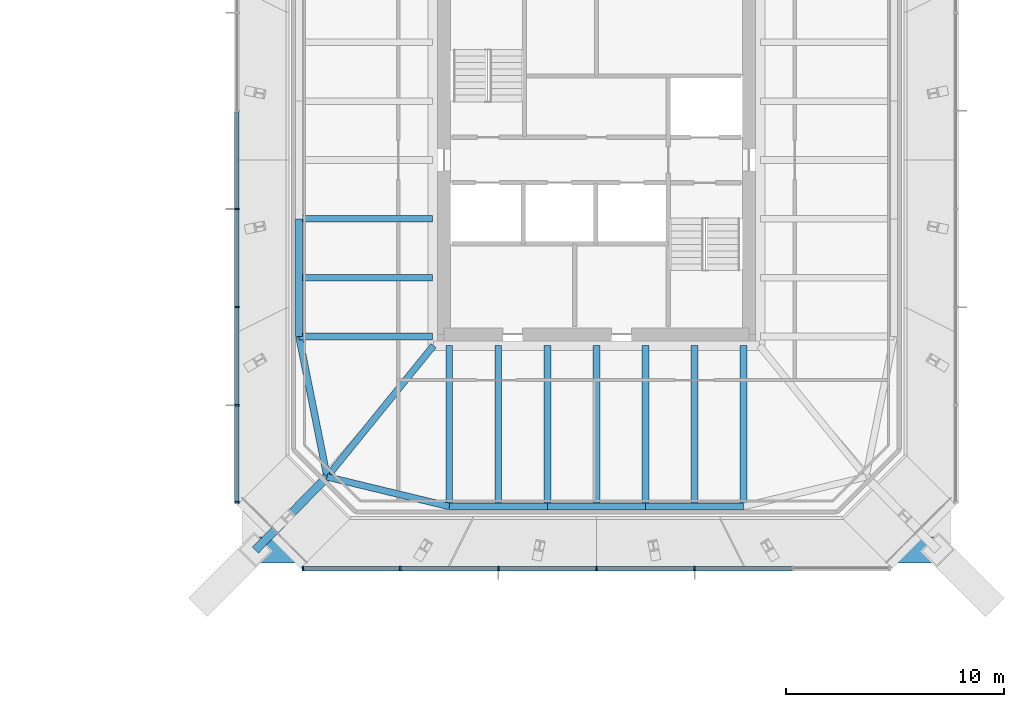
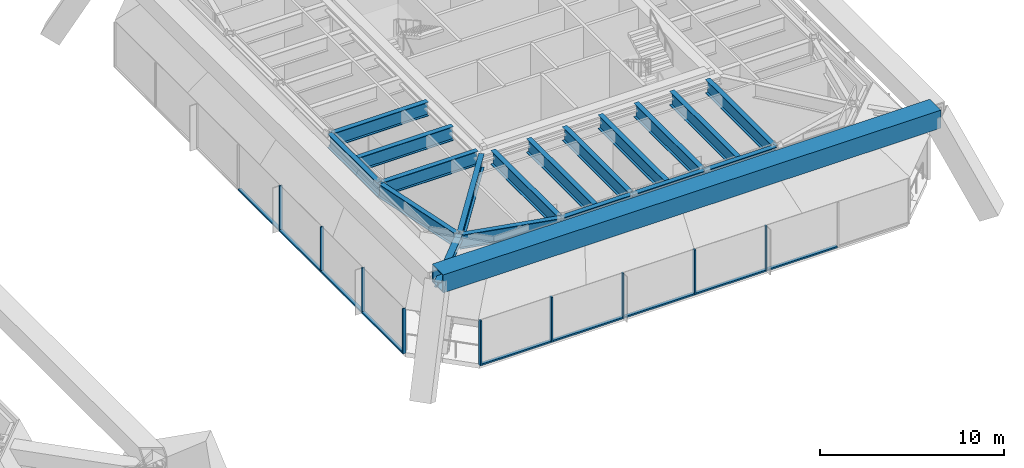
# One storey, part 4 of 16: 20 members, 17 beams, 2 elements without a shape of their own.
"""IFC4 building model written with IfcOpenShell, lengths in metres."""

from ifc_helpers import new_model, si_unit, direction, frame, origin, origin_2d, place, context, subcontext, project, spatial, rectangle, hollow_rectangle, i_section, extrude, material, material_profile, profile_set, type_object, element, aggregate, save


model = new_model("IFC4")

# Units and contexts
model_context = context("Model", 3, precision=1e-05, world=origin(), true_north=direction((0.0, 1.0)))
body_context = subcontext(model_context, "Body", "Model", "MODEL_VIEW")
ifc_project = project(units=[si_unit("LENGTHUNIT", "METRE"), si_unit("AREAUNIT", "SQUARE_METRE"), si_unit("VOLUMEUNIT", "CUBIC_METRE"), si_unit("PLANEANGLEUNIT", "RADIAN"), si_unit("MASSUNIT", "GRAM", prefix="KILO")], contexts=[model_context])

# Site, building, storey
site_placement = place(None, origin())
site = spatial("IfcSite", under=ifc_project, at=site_placement, CompositionType="ELEMENT")
building_placement = place(site_placement, origin())
building = spatial("IfcBuilding", under=site, at=building_placement, Name="Iwan Alto Co-Living Towers", CompositionType="ELEMENT")
storey_placement = place(building_placement, frame((0.0, 0.0, 74.5)))
storey = spatial("IfcBuildingStorey", under=building, at=storey_placement, Name="L20", CompositionType="ELEMENT", Elevation=74.5)

# Curtain wall, members
ifc_material_1 = material(Name="Bronze aluminium unitised frame", Category="aluminium")
curtain_wall_type = type_object("IfcCurtainWallType", Name="CURTAIN WALL CW-C", PredefinedType="NOTDEFINED", material=ifc_material_1)
curtain_wall_1_placement = place(storey_placement, origin())
curtain_wall_1 = element("IfcCurtainWall", 1, at=curtain_wall_1_placement, inside=storey, type_object=curtain_wall_type, Name="T2 curtain wall S L20", PredefinedType="NOTDEFINED")
ifc_material_2 = material(Name="Aluminium 6063-T6 bronze anodised", Category="aluminium")
ifc_material_profile_1 = material_profile(ifc_material_2, rectangle(XDim=0.199951171875, YDim=0.080078125, at=origin_2d()), Name="AL 80X200")
ifc_profile_set_1 = profile_set([ifc_material_profile_1], Name="Aluminium 6063-T6 bronze anodised")
member_type_1 = type_object("IfcMemberType", Name="CW-C MULLION 80X200", PredefinedType="MULLION", material=ifc_profile_set_1)
member_1_placement = place(storey_placement, frame((49.5400390625, -18.75, 0.0), z_axis=(0.0, 0.0, 1.0), x_axis=(0.0, 1.0, 0.0)))
member_1 = element("IfcMember", 2, at=member_1_placement, type_object=member_type_1, Name="CW-C mullion 1", PredefinedType="MULLION", context=body_context, shape_type="SweptSolid", body=[
    extrude(rectangle(XDim=0.199951171875, YDim=0.080078125, at=origin_2d()), origin(), (0.0, 0.0, 1.0), 3.0),
])
member_2_placement = place(storey_placement, frame((54.0, -18.75, 0.0), z_axis=(0.0, 0.0, 1.0), x_axis=(0.0, 1.0, 0.0)))
member_2 = element("IfcMember", 3, at=member_2_placement, type_object=member_type_1, Name="CW-C mullion 2", PredefinedType="MULLION", context=body_context, shape_type="SweptSolid", body=[
    extrude(rectangle(XDim=0.199951171875, YDim=0.080078125, at=origin_2d()), origin(), (0.0, 0.0, 1.0), 3.0),
])
member_3_placement = place(storey_placement, frame((58.5, -18.75, 0.0), z_axis=(0.0, 0.0, 1.0), x_axis=(0.0, 1.0, 0.0)))
member_3 = element("IfcMember", 4, at=member_3_placement, type_object=member_type_1, Name="CW-C mullion 3", PredefinedType="MULLION", context=body_context, shape_type="SweptSolid", body=[
    extrude(rectangle(XDim=0.199951171875, YDim=0.080078125, at=origin_2d()), origin(), (0.0, 0.0, 1.0), 3.0),
])
member_4_placement = place(storey_placement, frame((63.0, -18.75, 0.0), z_axis=(0.0, 0.0, 1.0), x_axis=(0.0, 1.0, 0.0)))
member_4 = element("IfcMember", 5, at=member_4_placement, type_object=member_type_1, Name="CW-C mullion 4", PredefinedType="MULLION", context=body_context, shape_type="SweptSolid", body=[
    extrude(rectangle(XDim=0.199951171875, YDim=0.080078125, at=origin_2d()), origin(), (0.0, 0.0, 1.0), 3.0),
])
member_5_placement = place(storey_placement, frame((67.5, -18.75, 0.0), z_axis=(0.0, 0.0, 1.0), x_axis=(0.0, 1.0, 0.0)))
member_5 = element("IfcMember", 6, at=member_5_placement, type_object=member_type_1, Name="CW-C mullion 5", PredefinedType="MULLION", context=body_context, shape_type="SweptSolid", body=[
    extrude(rectangle(XDim=0.199951171875, YDim=0.080078125, at=origin_2d()), origin(), (0.0, 0.0, 1.0), 3.0),
])

curtain_wall_2_placement = place(storey_placement, origin())
curtain_wall_2 = element("IfcCurtainWall", 7, at=curtain_wall_2_placement, inside=storey, type_object=curtain_wall_type, Name="T2 curtain wall W L20", PredefinedType="NOTDEFINED")
member_6_placement = place(storey_placement, frame((46.5, -2.25, 0.0), z_axis=(0.0, 0.0, 1.0), x_axis=(1.0, 0.0, 0.0)))
member_6 = element("IfcMember", 8, at=member_6_placement, type_object=member_type_1, Name="CW-C mullion 5", PredefinedType="MULLION", context=body_context, shape_type="SweptSolid", body=[
    extrude(rectangle(XDim=0.199951171875, YDim=0.080078125, at=origin_2d()), origin(), (0.0, 0.0, 1.0), 3.0),
])
member_7_placement = place(storey_placement, frame((46.5, -6.75, 0.0), z_axis=(0.0, 0.0, 1.0), x_axis=(1.0, 0.0, 0.0)))
member_7 = element("IfcMember", 9, at=member_7_placement, type_object=member_type_1, Name="CW-C mullion 6", PredefinedType="MULLION", context=body_context, shape_type="SweptSolid", body=[
    extrude(rectangle(XDim=0.199951171875, YDim=0.080078125, at=origin_2d()), origin(), (0.0, 0.0, 1.0), 3.0),
])
member_8_placement = place(storey_placement, frame((46.5, -11.25, 0.0), z_axis=(0.0, 0.0, 1.0), x_axis=(1.0, 0.0, 0.0)))
member_8 = element("IfcMember", 10, at=member_8_placement, type_object=member_type_1, Name="CW-C mullion 7", PredefinedType="MULLION", context=body_context, shape_type="SweptSolid", body=[
    extrude(rectangle(XDim=0.199951171875, YDim=0.080078125, at=origin_2d()), origin(), (0.0, 0.0, 1.0), 3.0),
])
member_9_placement = place(storey_placement, frame((46.5, -15.7099609375, 0.0), z_axis=(0.0, 0.0, 1.0), x_axis=(1.0, 0.0, 0.0)))
member_9 = element("IfcMember", 11, at=member_9_placement, type_object=member_type_1, Name="CW-C mullion 8", PredefinedType="MULLION", context=body_context, shape_type="SweptSolid", body=[
    extrude(rectangle(XDim=0.199951171875, YDim=0.080078125, at=origin_2d()), origin(), (0.0, 0.0, 1.0), 3.0),
])

# Member
ifc_material_3 = material(Name="Aluminium 6063-T6 bronze anodised", Category="aluminium")
ifc_material_profile_2 = material_profile(ifc_material_3, rectangle(XDim=0.199951171875, YDim=0.10009765625, at=origin_2d()), Name="AL 200X100")
ifc_profile_set_2 = profile_set([ifc_material_profile_2], Name="Aluminium 6063-T6 bronze anodised")
member_type_2 = type_object("IfcMemberType", Name="CW-C TRANSOM 200X100", PredefinedType="USERDEFINED", material=ifc_profile_set_2)
member_10_placement = place(storey_placement, frame((49.580078125, -18.75, 0.050048828125), z_axis=(1.0, 0.0, 0.0), x_axis=(0.0, 1.0, 0.0)))
member_10 = element("IfcMember", 12, at=member_10_placement, type_object=member_type_2, Name="CW-C transom 1.1", ObjectType="TRANSOM", PredefinedType="USERDEFINED", context=body_context, shape_type="SweptSolid", body=[
    extrude(rectangle(XDim=0.199951171875, YDim=0.10009765625, at=origin_2d()), origin(), (0.0, 0.0, 1.0), 4.3798828125),
])

member_11_placement = place(storey_placement, frame((54.0400390625, -18.75, 0.050048828125), z_axis=(1.0, 0.0, 0.0), x_axis=(0.0, 1.0, 0.0)))
member_11 = element("IfcMember", 13, at=member_11_placement, type_object=member_type_2, Name="CW-C transom 2.1", ObjectType="TRANSOM", PredefinedType="USERDEFINED", context=body_context, shape_type="SweptSolid", body=[
    extrude(rectangle(XDim=0.199951171875, YDim=0.10009765625, at=origin_2d()), origin(), (0.0, 0.0, 1.0), 4.419921875),
])

member_12_placement = place(storey_placement, frame((58.5400390625, -18.75, 0.050048828125), z_axis=(1.0, 0.0, 0.0), x_axis=(0.0, 1.0, 0.0)))
member_12 = element("IfcMember", 14, at=member_12_placement, type_object=member_type_2, Name="CW-C transom 3.1", ObjectType="TRANSOM", PredefinedType="USERDEFINED", context=body_context, shape_type="SweptSolid", body=[
    extrude(rectangle(XDim=0.199951171875, YDim=0.10009765625, at=origin_2d()), origin(), (0.0, 0.0, 1.0), 4.419921875),
])

member_13_placement = place(storey_placement, frame((63.0400390625, -18.75, 0.050048828125), z_axis=(1.0, 0.0, 0.0), x_axis=(0.0, 1.0, 0.0)))
member_13 = element("IfcMember", 15, at=member_13_placement, type_object=member_type_2, Name="CW-C transom 4.1", ObjectType="TRANSOM", PredefinedType="USERDEFINED", context=body_context, shape_type="SweptSolid", body=[
    extrude(rectangle(XDim=0.199951171875, YDim=0.10009765625, at=origin_2d()), origin(), (0.0, 0.0, 1.0), 4.419921875),
])

member_14_placement = place(storey_placement, frame((67.5400390625, -18.75, 0.050048828125), z_axis=(1.0, 0.0, 0.0), x_axis=(0.0, 1.0, 0.0)))
member_14 = element("IfcMember", 16, at=member_14_placement, type_object=member_type_2, Name="CW-C transom 5.1", ObjectType="TRANSOM", PredefinedType="USERDEFINED", context=body_context, shape_type="SweptSolid", body=[
    extrude(rectangle(XDim=0.199951171875, YDim=0.10009765625, at=origin_2d()), origin(), (0.0, 0.0, 1.0), 4.419921875),
])

aggregate(curtain_wall_1, [member_1, member_2, member_3, member_4, member_5, member_10, member_11, member_12, member_13, member_14])

member_15_placement = place(storey_placement, frame((46.5, 2.2099609375, 0.050048828125), z_axis=(0.0, -1.0, 0.0), x_axis=(1.0, 0.0, 0.0)))
member_15 = element("IfcMember", 17, at=member_15_placement, type_object=member_type_2, Name="CW-C transom 4.1", ObjectType="TRANSOM", PredefinedType="USERDEFINED", context=body_context, shape_type="SweptSolid", body=[
    extrude(rectangle(XDim=0.199951171875, YDim=0.10009765625, at=origin_2d()), origin(), (0.0, 0.0, 1.0), 4.419921875),
])

member_16_placement = place(storey_placement, frame((46.5, -2.2900390625, 0.050048828125), z_axis=(0.0, -1.0, 0.0), x_axis=(1.0, 0.0, 0.0)))
member_16 = element("IfcMember", 18, at=member_16_placement, type_object=member_type_2, Name="CW-C transom 5.1", ObjectType="TRANSOM", PredefinedType="USERDEFINED", context=body_context, shape_type="SweptSolid", body=[
    extrude(rectangle(XDim=0.199951171875, YDim=0.10009765625, at=origin_2d()), origin(), (0.0, 0.0, 1.0), 4.419921875),
])

member_17_placement = place(storey_placement, frame((46.5, -6.7900390625, 0.050048828125), z_axis=(0.0, -1.0, 0.0), x_axis=(1.0, 0.0, 0.0)))
member_17 = element("IfcMember", 19, at=member_17_placement, type_object=member_type_2, Name="CW-C transom 6.1", ObjectType="TRANSOM", PredefinedType="USERDEFINED", context=body_context, shape_type="SweptSolid", body=[
    extrude(rectangle(XDim=0.199951171875, YDim=0.10009765625, at=origin_2d()), origin(), (0.0, 0.0, 1.0), 4.419921875),
])

member_18_placement = place(storey_placement, frame((46.5, -11.2900390625, 0.050048828125), z_axis=(0.0, -1.0, 0.0), x_axis=(1.0, 0.0, 0.0)))
member_18 = element("IfcMember", 20, at=member_18_placement, type_object=member_type_2, Name="CW-C transom 7.1", ObjectType="TRANSOM", PredefinedType="USERDEFINED", context=body_context, shape_type="SweptSolid", body=[
    extrude(rectangle(XDim=0.199951171875, YDim=0.10009765625, at=origin_2d()), origin(), (0.0, 0.0, 1.0), 4.3798828125),
])

aggregate(curtain_wall_2, [member_6, member_7, member_8, member_9, member_15, member_16, member_17, member_18])

# Beams
ifc_material_4 = material(Name="Steel ASTM A992 Gr 50", Category="steel")
ifc_material_profile_3 = material_profile(ifc_material_4, i_section(OverallWidth=0.307373046875, OverallDepth=0.927001953125, WebThickness=0.01953125, FlangeThickness=0.031982421875, at=origin_2d()), Name="W36X194")
ifc_profile_set_3 = profile_set([ifc_material_profile_3], Name="Steel ASTM A992 Gr 50")
beam_type_1 = type_object("IfcBeamType", Name="T2 CORNER GIRDER W36X194", PredefinedType="BEAM", material=ifc_profile_set_3)
beam_1_placement = place(storey_placement, frame((50.638671875, -14.542724609375, 5.306396484375), z_axis=(0.629787584927, 0.776767402683, 0.0), x_axis=(-0.776767402683, 0.629787584927, 0.0)))
element("IfcBeam", 21, at=beam_1_placement, inside=storey, type_object=beam_type_1, Name="T2 corner girder CSW L21", PredefinedType="BEAM", context=body_context, shape_type="SweptSolid", body=[
    extrude(i_section(OverallWidth=0.307373046875, OverallDepth=0.927001953125, WebThickness=0.01953125, FlangeThickness=0.031982421875, at=origin_2d()), origin(), (0.0, 0.0, 1.0), 7.75537109375),
])
ifc_material_5 = material(Name="Steel ASTM A992 Gr 50", Category="steel")
ifc_material_profile_4 = material_profile(ifc_material_5, i_section(OverallWidth=0.307373046875, OverallDepth=0.927001953125, WebThickness=0.01953125, FlangeThickness=0.031982421875, at=origin_2d()), Name="W36X194")
ifc_profile_set_4 = profile_set([ifc_material_profile_4], Name="Steel ASTM A992 Gr 50")
beam_type_2 = type_object("IfcBeamType", Name="T2 EDGE BEAM W36X194", PredefinedType="BEAM", material=ifc_profile_set_4)
beam_2_placement = place(storey_placement, frame((50.638671875, -14.542724609375, 5.306396484375), z_axis=(0.971974673138, -0.235085590323, 0.0), x_axis=(0.235085590323, 0.971974673138, 0.0)))
element("IfcBeam", 22, at=beam_2_placement, inside=storey, type_object=beam_type_2, Name="T2 edge beam CSW L21", PredefinedType="BEAM", context=body_context, shape_type="SweptSolid", body=[
    extrude(i_section(OverallWidth=0.307373046875, OverallDepth=0.927001953125, WebThickness=0.01953125, FlangeThickness=0.031982421875, at=origin_2d()), origin(), (0.0, 0.0, 1.0), 5.773193359375),
])
for number, where, z_axis, x_axis, name in (
    (23, (56.25, -15.89990234375, 5.306396484375), (1.0, 0.0, 0.0), (0.0, 1.0, 0.0), "T2 edge beam S1 L21"),
    (24, (60.75, -15.89990234375, 5.306396484375), (1.0, 0.0, 0.0), (0.0, 1.0, 0.0), "T2 edge beam S2 L21"),
    (25, (65.25, -15.89990234375, 5.306396484375), (1.0, 0.0, 0.0), (0.0, 1.0, 0.0), "T2 edge beam S3 L21"),
):
    element("IfcBeam", number, at=place(storey_placement, frame(where, z_axis=z_axis, x_axis=x_axis)), inside=storey, type_object=beam_type_2, Name=name, PredefinedType="BEAM", context=body_context, shape_type="SweptSolid", body=[
        extrude(i_section(OverallWidth=0.307373046875, OverallDepth=0.927001953125, WebThickness=0.01953125, FlangeThickness=0.031982421875, at=origin_2d()), origin(), (0.0, 0.0, 1.0), 4.5),
    ])
beam_3_placement = place(storey_placement, frame((49.35009765625, -2.699951171875, 5.306396484375), z_axis=(0.0, -1.0, 0.0), x_axis=(1.0, 0.0, 0.0)))
element("IfcBeam", 26, at=beam_3_placement, inside=storey, type_object=beam_type_2, Name="T2 edge beam W3 L21", PredefinedType="BEAM", context=body_context, shape_type="SweptSolid", body=[
    extrude(i_section(OverallWidth=0.307373046875, OverallDepth=0.927001953125, WebThickness=0.01953125, FlangeThickness=0.031982421875, at=origin_2d()), origin(), (0.0, 0.0, 1.0), 5.400146484375),
])
beam_4_placement = place(storey_placement, frame((49.35009765625, -8.10009765625, 5.306396484375), z_axis=(0.196123281025, -0.980579246487, 0.0), x_axis=(0.980579246487, 0.196123281025, 0.0)))
element("IfcBeam", 27, at=beam_4_placement, inside=storey, type_object=beam_type_2, Name="T2 edge beam W4 L21", PredefinedType="BEAM", context=body_context, shape_type="SweptSolid", body=[
    extrude(i_section(OverallWidth=0.307373046875, OverallDepth=0.927001953125, WebThickness=0.01953125, FlangeThickness=0.031982421875, at=origin_2d()), origin(), (0.0, 0.0, 1.0), 6.5703125),
])

# Members
ifc_material_6 = material(Name="Steel ASTM A572 Gr 50", Category="steel")
ifc_material_profile_5 = material_profile(ifc_material_6, hollow_rectangle(XDim=1.199951171875, YDim=1.199951171875, WallThickness=0.070068359375, at=origin_2d()), Name="BOX 1200X1200X70")
ifc_profile_set_5 = profile_set([ifc_material_profile_5], Name="Steel ASTM A572 Gr 50")
member_type_3 = type_object("IfcMemberType", Name="T2 MEGA BELT TIE BOX 1200X1200X70", PredefinedType="STRUT", material=ifc_profile_set_5)
member_19_placement = place(storey_placement, frame((47.35009765625, -17.89990234375, 6.0), z_axis=(1.0, 0.0, 0.0), x_axis=(0.0, 1.0, 0.0)))
element("IfcMember", 28, at=member_19_placement, inside=storey, type_object=member_type_3, Name="T2 mega belt tie S L21", PredefinedType="STRUT", context=body_context, shape_type="SweptSolid", body=[
    extrude(hollow_rectangle(XDim=1.199951171875, YDim=1.199951171875, WallThickness=0.070068359375, at=origin_2d()), origin(), (0.0, 0.0, 1.0), 31.2998046875),
])
ifc_material_7 = material(Name="Steel ASTM A992 Gr 50", Category="steel")
ifc_material_profile_6 = material_profile(ifc_material_7, i_section(OverallWidth=0.393798828125, OverallDepth=0.3759765625, WebThickness=0.017333984375, FlangeThickness=0.027587890625, at=origin_2d()), Name="W14X145")
ifc_profile_set_6 = profile_set([ifc_material_profile_6], Name="Steel ASTM A992 Gr 50")
member_type_4 = type_object("IfcMemberType", Name="T2 MEGA COLUMN FLOOR TIE W14X145", PredefinedType="STRUT", material=ifc_profile_set_6)
member_20_placement = place(storey_placement, frame((47.35009765625, -17.89990234375, 5.58203125), z_axis=(0.699770096147, 0.714368121166, 0.0), x_axis=(-0.714368121166, 0.699770096147, 0.0)))
element("IfcMember", 29, at=member_20_placement, inside=storey, type_object=member_type_4, Name="T2 mega column floor tie SW L21", PredefinedType="STRUT", context=body_context, shape_type="SweptSolid", body=[
    extrude(i_section(OverallWidth=0.393798828125, OverallDepth=0.3759765625, WebThickness=0.017333984375, FlangeThickness=0.027587890625, at=origin_2d()), origin(), (0.0, 0.0, 1.0), 4.699462890625),
])

# Beams
ifc_material_8 = material(Name="Steel ASTM A992 Gr 50", Category="steel")
ifc_material_profile_7 = material_profile(ifc_material_8, i_section(OverallWidth=0.307373046875, OverallDepth=0.927001953125, WebThickness=0.01953125, FlangeThickness=0.031982421875, at=origin_2d()), Name="W36X194")
ifc_profile_set_7 = profile_set([ifc_material_profile_7], Name="Steel ASTM A992 Gr 50")
beam_type_3 = type_object("IfcBeamType", Name="T2 RADIAL BEAM W36X194", PredefinedType="BEAM", material=ifc_profile_set_7)
for number, where, z_axis, x_axis, name in (
    (30, (56.25, -15.89990234375, 5.306396484375), (0.0, 1.0, 0.0), (-1.0, 0.0, 0.0), "T2 radial beam S1 L21"),
    (31, (60.75, -15.89990234375, 5.306396484375), (0.0, 1.0, 0.0), (-1.0, 0.0, 0.0), "T2 radial beam S2 L21"),
    (32, (65.25, -15.89990234375, 5.306396484375), (0.0, 1.0, 0.0), (-1.0, 0.0, 0.0), "T2 radial beam S3 L21"),
    (33, (69.75, -15.89990234375, 5.306396484375), (0.0, 1.0, 0.0), (-1.0, 0.0, 0.0), "T2 radial beam S4 L21"),
):
    element("IfcBeam", number, at=place(storey_placement, frame(where, z_axis=z_axis, x_axis=x_axis)), inside=storey, type_object=beam_type_3, Name=name, PredefinedType="BEAM", context=body_context, shape_type="SweptSolid", body=[
        extrude(i_section(OverallWidth=0.307373046875, OverallDepth=0.927001953125, WebThickness=0.01953125, FlangeThickness=0.031982421875, at=origin_2d()), origin(), (0.0, 0.0, 1.0), 7.38134765625),
    ])
for number, where, z_axis, x_axis, name in (
    (34, (49.35009765625, -2.699951171875, 5.306396484375), (1.0, 0.0, 0.0), (0.0, 1.0, 0.0), "T2 radial beam W3 L21"),
    (35, (49.35009765625, -8.10009765625, 5.306396484375), (1.0, 0.0, 0.0), (0.0, 1.0, 0.0), "T2 radial beam W4 L21"),
):
    element("IfcBeam", number, at=place(storey_placement, frame(where, z_axis=z_axis, x_axis=x_axis)), inside=storey, type_object=beam_type_3, Name=name, PredefinedType="BEAM", context=body_context, shape_type="SweptSolid", body=[
        extrude(i_section(OverallWidth=0.307373046875, OverallDepth=0.927001953125, WebThickness=0.01953125, FlangeThickness=0.031982421875, at=origin_2d()), origin(), (0.0, 0.0, 1.0), 6.13134765625),
    ])
ifc_material_9 = material(Name="Steel ASTM A992 Gr 50", Category="steel")
ifc_material_profile_8 = material_profile(ifc_material_9, i_section(OverallWidth=0.307373046875, OverallDepth=0.927001953125, WebThickness=0.01953125, FlangeThickness=0.031982421875, at=origin_2d()), Name="W36X194")
ifc_profile_set_8 = profile_set([ifc_material_profile_8], Name="Steel ASTM A992 Gr 50")
beam_type_4 = type_object("IfcBeamType", Name="T2 SECONDARY BEAM W36X194", PredefinedType="JOIST", material=ifc_profile_set_8)
for number, where, z_axis, x_axis, name in (
    (36, (58.5, -15.89990234375, 5.306396484375), (0.0, 1.0, 0.0), (-1.0, 0.0, 0.0), "T2 secondary beam S1 L21"),
    (37, (63.0, -15.89990234375, 5.306396484375), (0.0, 1.0, 0.0), (-1.0, 0.0, 0.0), "T2 secondary beam S2 L21"),
    (38, (67.5, -15.89990234375, 5.306396484375), (0.0, 1.0, 0.0), (-1.0, 0.0, 0.0), "T2 secondary beam S3 L21"),
):
    element("IfcBeam", number, at=place(storey_placement, frame(where, z_axis=z_axis, x_axis=x_axis)), inside=storey, type_object=beam_type_4, Name=name, PredefinedType="JOIST", context=body_context, shape_type="SweptSolid", body=[
        extrude(i_section(OverallWidth=0.307373046875, OverallDepth=0.927001953125, WebThickness=0.01953125, FlangeThickness=0.031982421875, at=origin_2d()), origin(), (0.0, 0.0, 1.0), 7.38134765625),
    ])
beam_5_placement = place(storey_placement, frame((49.35009765625, -5.39990234375, 5.306396484375), z_axis=(1.0, 0.0, 0.0), x_axis=(0.0, 1.0, 0.0)))
element("IfcBeam", 39, at=beam_5_placement, inside=storey, type_object=beam_type_4, Name="T2 secondary beam W3 L21", PredefinedType="JOIST", context=body_context, shape_type="SweptSolid", body=[
    extrude(i_section(OverallWidth=0.307373046875, OverallDepth=0.927001953125, WebThickness=0.01953125, FlangeThickness=0.031982421875, at=origin_2d()), origin(), (0.0, 0.0, 1.0), 6.13134765625),
])

save(model, "model.ifc")
